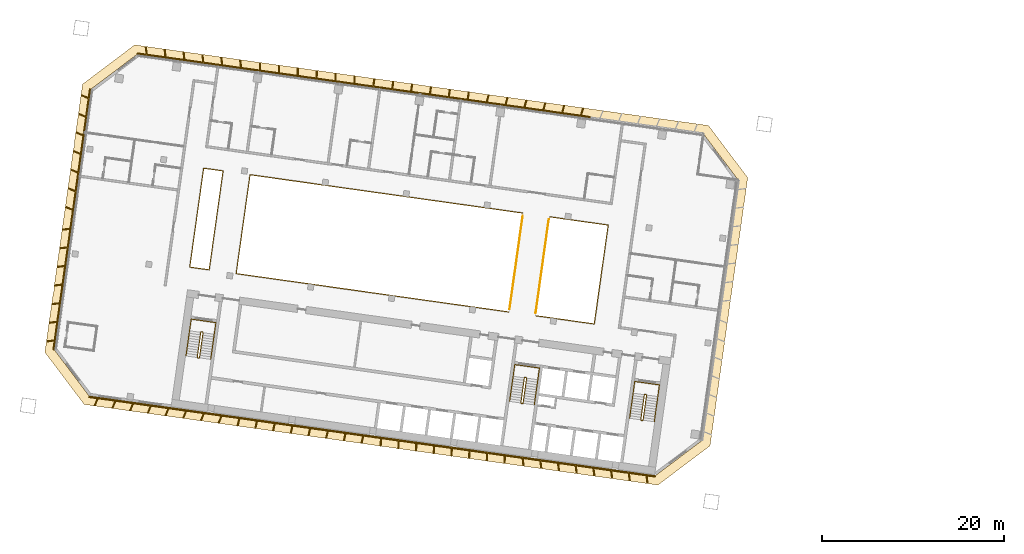
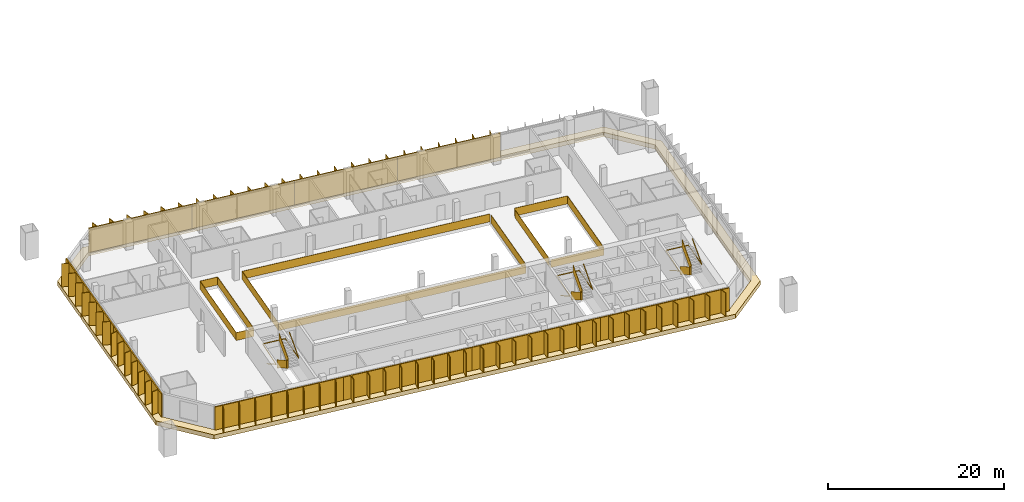
# One storey, part 23 of 25: 11 railings, 10 shading devices, 1 covering.
"""IFC4 building model written with IfcOpenShell, lengths in metres."""

from ifc_helpers import new_model, si_unit, direction, frame, origin, origin_2d, place, context, subcontext, project, spatial, polyline, rectangle, outline, extrude, material, layer, layer_set, type_object, element, save


model = new_model("IFC4")

# Units and contexts
model_context = context("Model", 3, precision=1e-05, world=origin(), true_north=direction((0.0, 1.0)))
body_context = subcontext(model_context, "Body", "Model", "MODEL_VIEW")
ifc_project = project(units=[si_unit("LENGTHUNIT", "METRE"), si_unit("AREAUNIT", "SQUARE_METRE"), si_unit("VOLUMEUNIT", "CUBIC_METRE"), si_unit("PLANEANGLEUNIT", "RADIAN"), si_unit("MASSUNIT", "GRAM", prefix="KILO")], contexts=[model_context])

# Site, building, storey
site_placement = place(None, origin())
site = spatial("IfcSite", under=ifc_project, at=site_placement, CompositionType="ELEMENT")
building_placement = place(site_placement, origin())
building = spatial("IfcBuilding", under=site, at=building_placement, Name="Mirante Cascada Hotel Towers", CompositionType="ELEMENT")
storey_placement = place(building_placement, frame((0.0, 0.0, 129.1)))
storey = spatial("IfcBuildingStorey", under=building, at=storey_placement, Name="L29", CompositionType="ELEMENT", Elevation=129.1)

# Railings
ifc_material_1 = material(Name="Toughened glass with stainless steel handrail", Category="steel")
railing_type_1 = type_object("IfcRailingType", Name="Atrium guard 1100 glass balustrade", PredefinedType="GUARDRAIL", material=ifc_material_1)
railing_1_placement = place(storey_placement, frame((-48.76, 8.3112, 0.0)))
element("IfcRailing", 1, at=railing_1_placement, inside=storey, type_object=railing_type_1, Name="GUARD 1-L29-1", PredefinedType="GUARDRAIL", context=body_context, shape_type="SweptSolid", body=[
    extrude(rectangle(XDim=0.048, YDim=0.048, at=origin_2d()), frame((0.0, 0.0, 1.076), z_axis=(0.9902694, -0.1391638, 0.0), x_axis=(0.1391638, 0.9902694, 0.0)), (0.0, 0.0, 1.0), 6.5125),
    extrude(rectangle(XDim=0.02, YDim=1.052, at=origin_2d()), frame((0.0, 0.0, 0.526), z_axis=(0.9902694, -0.1391638, 0.0), x_axis=(0.1391638, 0.9902694, 0.0)), (0.0, 0.0, 1.0), 6.5125),
    extrude(rectangle(XDim=0.048, YDim=0.048, at=origin_2d()), frame((6.4491, -0.9063, 1.076), z_axis=(-0.1391721, -0.9902682, 0.0), x_axis=(0.9902682, -0.1391721, 0.0)), (0.0, 0.0, 1.0), 11.0001),
    extrude(rectangle(XDim=0.02, YDim=1.052, at=origin_2d()), frame((6.4491, -0.9063, 0.526), z_axis=(-0.1391721, -0.9902682, 0.0), x_axis=(0.9902682, -0.1391721, 0.0)), (0.0, 0.0, 1.0), 11.0001),
    extrude(rectangle(XDim=0.048, YDim=0.048, at=origin_2d()), frame((4.9182, -11.7993, 1.076), z_axis=(-0.9902673, 0.1391788, 0.0), x_axis=(-0.1391788, -0.9902673, 0.0)), (0.0, 0.0, 1.0), 6.5125),
    extrude(rectangle(XDim=0.02, YDim=1.052, at=origin_2d()), frame((4.9182, -11.7993, 0.526), z_axis=(-0.9902673, 0.1391788, 0.0), x_axis=(-0.1391788, -0.9902673, 0.0)), (0.0, 0.0, 1.0), 6.5125),
])
railing_2_placement = place(storey_placement, frame((-53.2617, -2.1642, 0.0)))
element("IfcRailing", 2, at=railing_2_placement, inside=storey, type_object=railing_type_1, Name="GUARD 1-L29-2", PredefinedType="GUARDRAIL", context=body_context, shape_type="SweptSolid", body=[
    extrude(rectangle(XDim=0.048, YDim=0.048, at=origin_2d()), frame((0.0, 0.0, 1.076), z_axis=(-0.9902682, 0.1391722, 0.0), x_axis=(-0.1391722, -0.9902682, 0.0)), (0.0, 0.0, 1.0), 30.325),
    extrude(rectangle(XDim=0.02, YDim=1.052, at=origin_2d()), frame((0.0, 0.0, 0.526), z_axis=(-0.9902682, 0.1391722, 0.0), x_axis=(-0.1391722, -0.9902682, 0.0)), (0.0, 0.0, 1.0), 30.325),
    extrude(rectangle(XDim=0.048, YDim=0.048, at=origin_2d()), frame((-30.0299, 4.2204, 1.076), z_axis=(0.1391721, 0.9902682, 0.0), x_axis=(-0.9902682, 0.1391721, 0.0)), (0.0, 0.0, 1.0), 11.0001),
    extrude(rectangle(XDim=0.02, YDim=1.052, at=origin_2d()), frame((-30.0299, 4.2204, 0.526), z_axis=(0.1391721, 0.9902682, 0.0), x_axis=(-0.9902682, 0.1391721, 0.0)), (0.0, 0.0, 1.0), 11.0001),
    extrude(rectangle(XDim=0.048, YDim=0.048, at=origin_2d()), frame((-28.499, 15.1134, 1.076), z_axis=(0.9902682, -0.1391722, 0.0), x_axis=(0.1391722, 0.9902682, 0.0)), (0.0, 0.0, 1.0), 30.325),
    extrude(rectangle(XDim=0.02, YDim=1.052, at=origin_2d()), frame((-28.499, 15.1134, 0.526), z_axis=(0.9902682, -0.1391722, 0.0), x_axis=(0.1391722, 0.9902682, 0.0)), (0.0, 0.0, 1.0), 30.325),
])
railing_3_placement = place(storey_placement, frame((-86.2624, 2.4738, 0.0)))
element("IfcRailing", 3, at=railing_3_placement, inside=storey, type_object=railing_type_1, Name="GUARD 1-L29-3", PredefinedType="GUARDRAIL", context=body_context, shape_type="SweptSolid", body=[
    extrude(rectangle(XDim=0.048, YDim=0.048, at=origin_2d()), frame((0.0, 0.0, 1.076), z_axis=(-0.9902724, 0.1391422, 0.0), x_axis=(-0.1391422, -0.9902724, 0.0)), (0.0, 0.0, 1.0), 2.1625),
    extrude(rectangle(XDim=0.02, YDim=1.052, at=origin_2d()), frame((0.0, 0.0, 0.526), z_axis=(-0.9902724, 0.1391422, 0.0), x_axis=(-0.1391422, -0.9902724, 0.0)), (0.0, 0.0, 1.0), 2.1625),
    extrude(rectangle(XDim=0.048, YDim=0.048, at=origin_2d()), frame((-2.1415, 0.3009, 1.076), z_axis=(0.1391721, 0.9902682, 0.0), x_axis=(-0.9902682, 0.1391721, 0.0)), (0.0, 0.0, 1.0), 11.0001),
    extrude(rectangle(XDim=0.02, YDim=1.052, at=origin_2d()), frame((-2.1415, 0.3009, 0.526), z_axis=(0.1391721, 0.9902682, 0.0), x_axis=(-0.9902682, 0.1391721, 0.0)), (0.0, 0.0, 1.0), 11.0001),
    extrude(rectangle(XDim=0.048, YDim=0.048, at=origin_2d()), frame((-0.6106, 11.1939, 1.076), z_axis=(0.990266, -0.1391875, 0.0), x_axis=(0.1391875, 0.990266, 0.0)), (0.0, 0.0, 1.0), 2.1626),
    extrude(rectangle(XDim=0.02, YDim=1.052, at=origin_2d()), frame((-0.6106, 11.1939, 0.526), z_axis=(0.990266, -0.1391875, 0.0), x_axis=(0.1391875, 0.990266, 0.0)), (0.0, 0.0, 1.0), 2.1626),
    extrude(rectangle(XDim=0.048, YDim=0.048, at=origin_2d()), frame((1.5309, 10.8929, 1.076), z_axis=(-0.1391733, -0.990268, 0.0), x_axis=(0.990268, -0.1391733, 0.0)), (0.0, 0.0, 1.0), 11.0),
    extrude(rectangle(XDim=0.02, YDim=1.052, at=origin_2d()), frame((1.5309, 10.8929, 0.526), z_axis=(-0.1391733, -0.990268, 0.0), x_axis=(0.990268, -0.1391733, 0.0)), (0.0, 0.0, 1.0), 11.0),
])
railing_4_placement = place(storey_placement, frame((-53.172, -1.8782, 0.0)))
element("IfcRailing", 4, at=railing_4_placement, inside=storey, type_object=railing_type_1, Name="GUARD 1-L29-4", PredefinedType="GUARDRAIL", context=body_context, shape_type="SweptSolid", body=[
    extrude(rectangle(XDim=0.048, YDim=0.048, at=origin_2d()), frame((0.0, 0.0, 1.076), z_axis=(0.1391721, 0.9902682, 0.0), x_axis=(-0.9902682, 0.1391721, 0.0)), (0.0, 0.0, 1.0), 10.4087),
    extrude(rectangle(XDim=0.02, YDim=1.052, at=origin_2d()), frame((0.0, 0.0, 0.526), z_axis=(0.1391721, 0.9902682, 0.0), x_axis=(-0.9902682, 0.1391721, 0.0)), (0.0, 0.0, 1.0), 10.4087),
])
railing_5_placement = place(storey_placement, frame((-48.8497, 8.0253, 0.0)))
element("IfcRailing", 5, at=railing_5_placement, inside=storey, type_object=railing_type_1, Name="GUARD 1-L29-5", PredefinedType="GUARDRAIL", context=body_context, shape_type="SweptSolid", body=[
    extrude(rectangle(XDim=0.048, YDim=0.048, at=origin_2d()), frame((0.0, 0.0, 1.076), z_axis=(-0.1391708, -0.9902684, 0.0), x_axis=(0.9902684, -0.1391708, 0.0)), (0.0, 0.0, 1.0), 10.4088),
    extrude(rectangle(XDim=0.02, YDim=1.052, at=origin_2d()), frame((0.0, 0.0, 0.526), z_axis=(-0.1391708, -0.9902684, 0.0), x_axis=(0.9902684, -0.1391708, 0.0)), (0.0, 0.0, 1.0), 10.4088),
])

# Covering
ifc_material_2 = material(Name="Precast concrete C40/50 white", Category="concrete")
ifc_layer = layer(ifc_material_2, 0.6)
ifc_layer_set = layer_set([ifc_layer], Name="Precast concrete SUNSHADE band 1000x600")
covering_type = type_object("IfcCoveringType", Name="Precast concrete SUNSHADE band 1000x600", PredefinedType="CLADDING", material=ifc_layer_set)
covering_placement = place(storey_placement, frame((0.0, 0.0, -0.45)))
element("IfcCovering", 6, at=covering_placement, inside=storey, type_object=covering_type, Name="Precast concrete SUNSHADE band T1 L29", PredefinedType="CLADDING", context=body_context, shape_type="SweptSolid", body=[
    extrude(outline(polyline([(-104.3652, -6.6094), (-103.4576, -0.1512), (-103.4447, -0.1292), (-103.4251, -0.0864), (-103.4097, -0.0419), (-103.3988, 0.004), (-103.3552, 0.2375), (-103.3488, 0.2841), (-103.347, 0.3312), (-103.3499, 0.3782), (-103.3573, 0.4247), (-103.3693, 0.4703), (-103.37, 0.4721), (-101.2092, 15.8471), (-101.208, 15.8487), (-101.1839, 15.8892), (-101.1639, 15.9319), (-101.1482, 15.9763), (-101.137, 16.022), (-101.1302, 16.0686), (-101.1078, 16.3051), (-101.1057, 16.3522), (-101.1082, 16.3992), (-101.1153, 16.4458), (-101.1216, 16.4704), (-100.2139, 22.9287), (-94.4698, 27.2572), (-31.2626, 18.374), (-26.9341, 12.6299), (-31.0854, -16.9082), (-36.8295, -21.2367), (-100.0367, -12.3535), (-104.3652, -6.6094)]), holes=[polyline([(-27.982, 12.3589), (-31.8119, 17.4414), (-94.1988, 26.2093), (-99.2813, 22.3794), (-103.3173, -6.3384), (-99.4874, -11.4209), (-37.1005, -20.1888), (-32.018, -16.3589), (-27.982, 12.3589)])]), origin(), (0.0, 0.0, 1.0), 0.6),
])

# Railings
ifc_material_3 = material(Name="Painted steel", Category="steel")
railing_type_2 = type_object("IfcRailingType", Name="Stair guard 1100 steel balustrade", PredefinedType="GUARDRAIL", material=ifc_material_3)
railing_6_placement = place(storey_placement, frame((-38.1178, -11.2603, 0.0)))
element("IfcRailing", 7, at=railing_6_placement, inside=storey, type_object=railing_type_2, Name="L29 ST1-A stair guard 1", PredefinedType="GUARDRAIL", context=body_context, shape_type="SweptSolid", body=[
    extrude(rectangle(XDim=0.048, YDim=0.048, at=origin_2d()), frame((0.0, 0.0, 1.076), z_axis=(-0.9903326, 0.1387133, 0.0), x_axis=(-0.1387133, -0.9903326, 0.0)), (0.0, 0.0, 1.0), 0.1499),
    extrude(rectangle(XDim=0.02, YDim=1.052, at=origin_2d()), frame((0.0, 0.0, 0.526), z_axis=(-0.9903326, 0.1387133, 0.0), x_axis=(-0.1387133, -0.9903326, 0.0)), (0.0, 0.0, 1.0), 0.1499),
    extrude(rectangle(XDim=0.048, YDim=0.048, at=origin_2d()), frame((-0.1485, 0.0208, 1.076), z_axis=(-0.7991505, -0.6011309, 0.0), x_axis=(0.6011309, -0.7991505, 0.0)), (0.0, 0.9254529, 0.3788627), 0.1866),
    extrude(rectangle(XDim=0.02, YDim=1.052, at=origin_2d()), frame((-0.1485, 0.0208, 0.526), z_axis=(-0.7991505, -0.6011309, 0.0), x_axis=(0.6011309, -0.7991505, 0.0)), (0.0, 0.9254529, 0.3788627), 0.1866),
    extrude(rectangle(XDim=0.048, YDim=0.048, at=origin_2d()), frame((-0.205, -0.0217, 1.2487), z_axis=(-0.139176, -0.9902677, 0.0), x_axis=(0.9902677, -0.139176, 0.0)), (0.0, 0.5250212, 0.8510891), 3.29),
    extrude(rectangle(XDim=0.02, YDim=1.052, at=origin_2d()), frame((-0.205, -0.0217, 0.6987), z_axis=(-0.139176, -0.9902677, 0.0), x_axis=(0.9902677, -0.139176, 0.0)), (0.0, 0.5250212, 0.8510891), 3.29),
    extrude(rectangle(XDim=0.048, YDim=0.048, at=origin_2d()), frame((-0.5947, -2.7945, 2.976), z_axis=(0.9270311, -0.3749843, 0.0), x_axis=(0.3749843, 0.9270311, 0.0)), (0.0, 0.0, 1.0), 0.2061),
    extrude(rectangle(XDim=0.02, YDim=1.052, at=origin_2d()), frame((-0.5947, -2.7945, 2.426), z_axis=(0.9270311, -0.3749843, 0.0), x_axis=(0.3749843, 0.9270311, 0.0)), (0.0, 0.0, 1.0), 0.2061),
    extrude(rectangle(XDim=0.048, YDim=0.048, at=origin_2d()), frame((-0.4036, -2.8718, 2.976), z_axis=(-0.9902408, 0.1393672, 0.0), x_axis=(-0.1393672, -0.9902408, 0.0)), (0.0, 0.0, 1.0), 0.15),
    extrude(rectangle(XDim=0.02, YDim=1.052, at=origin_2d()), frame((-0.4036, -2.8718, 2.426), z_axis=(-0.9902408, 0.1393672, 0.0), x_axis=(-0.1393672, -0.9902408, 0.0)), (0.0, 0.0, 1.0), 0.15),
    extrude(rectangle(XDim=0.048, YDim=0.048, at=origin_2d()), frame((-0.5521, -2.8509, 2.976), z_axis=(0.9944948, 0.1047858, 0.0), x_axis=(-0.1047858, 0.9944948, 0.0)), (0.0, 0.6422034, 0.7665343), 0.2689),
    extrude(rectangle(XDim=0.02, YDim=1.052, at=origin_2d()), frame((-0.5521, -2.8509, 2.426), z_axis=(0.9944948, 0.1047858, 0.0), x_axis=(-0.1047858, 0.9944948, 0.0)), (0.0, 0.6422034, 0.7665343), 0.2689),
    extrude(rectangle(XDim=0.048, YDim=0.048, at=origin_2d()), frame((-0.3471, -2.8293, 3.1487), z_axis=(0.139176, 0.9902677, 0.0), x_axis=(-0.9902677, 0.139176, 0.0)), (0.0, 0.5250212, 0.8510891), 3.29),
    extrude(rectangle(XDim=0.02, YDim=1.052, at=origin_2d()), frame((-0.3471, -2.8293, 2.5987), z_axis=(0.139176, 0.9902677, 0.0), x_axis=(-0.9902677, 0.139176, 0.0)), (0.0, 0.5250212, 0.8510891), 3.29),
])
railing_7_placement = place(storey_placement, frame((-51.3379, -9.4024, 0.0)))
element("IfcRailing", 8, at=railing_7_placement, inside=storey, type_object=railing_type_2, Name="L29 ST1-B stair guard 1", PredefinedType="GUARDRAIL", context=body_context, shape_type="SweptSolid", body=[
    extrude(rectangle(XDim=0.048, YDim=0.048, at=origin_2d()), frame((0.0, 0.0, 1.076), z_axis=(-0.9902408, 0.1393672, 0.0), x_axis=(-0.1393672, -0.9902408, 0.0)), (0.0, 0.0, 1.0), 0.15),
    extrude(rectangle(XDim=0.02, YDim=1.052, at=origin_2d()), frame((0.0, 0.0, 0.526), z_axis=(-0.9902408, 0.1393672, 0.0), x_axis=(-0.1393672, -0.9902408, 0.0)), (0.0, 0.0, 1.0), 0.15),
    extrude(rectangle(XDim=0.048, YDim=0.048, at=origin_2d()), frame((-0.1485, 0.0209, 1.076), z_axis=(-0.7984711, -0.6020331, 0.0), x_axis=(0.6020331, -0.7984711, 0.0)), (0.0, 0.9253398, 0.3791387), 0.1866),
    extrude(rectangle(XDim=0.02, YDim=1.052, at=origin_2d()), frame((-0.1485, 0.0209, 0.526), z_axis=(-0.7984711, -0.6020331, 0.0), x_axis=(0.6020331, -0.7984711, 0.0)), (0.0, 0.9253398, 0.3791387), 0.1866),
    extrude(rectangle(XDim=0.048, YDim=0.048, at=origin_2d()), frame((-0.205, -0.0217, 1.2487), z_axis=(-0.139181, -0.990267, 0.0), x_axis=(0.990267, -0.139181, 0.0)), (0.0, 0.5250347, 0.8510808), 3.2899),
    extrude(rectangle(XDim=0.02, YDim=1.052, at=origin_2d()), frame((-0.205, -0.0217, 0.6987), z_axis=(-0.139181, -0.990267, 0.0), x_axis=(0.990267, -0.139181, 0.0)), (0.0, 0.5250347, 0.8510808), 3.2899),
    extrude(rectangle(XDim=0.048, YDim=0.048, at=origin_2d()), frame((-0.5947, -2.7944, 2.976), z_axis=(0.9268624, -0.3754011, 0.0), x_axis=(0.3754011, 0.9268624, 0.0)), (0.0, 0.0, 1.0), 0.2062),
    extrude(rectangle(XDim=0.02, YDim=1.052, at=origin_2d()), frame((-0.5947, -2.7944, 2.426), z_axis=(0.9268624, -0.3754011, 0.0), x_axis=(0.3754011, 0.9268624, 0.0)), (0.0, 0.0, 1.0), 0.2062),
    extrude(rectangle(XDim=0.048, YDim=0.048, at=origin_2d()), frame((-0.4036, -2.8718, 2.976), z_axis=(-0.9902408, 0.1393672, 0.0), x_axis=(-0.1393672, -0.9902408, 0.0)), (0.0, 0.0, 1.0), 0.15),
    extrude(rectangle(XDim=0.02, YDim=1.052, at=origin_2d()), frame((-0.4036, -2.8718, 2.426), z_axis=(-0.9902408, 0.1393672, 0.0), x_axis=(-0.1393672, -0.9902408, 0.0)), (0.0, 0.0, 1.0), 0.15),
    extrude(rectangle(XDim=0.048, YDim=0.048, at=origin_2d()), frame((-0.5521, -2.8509, 2.976), z_axis=(0.9944441, 0.1052656, 0.0), x_axis=(-0.1052656, 0.9944441, 0.0)), (0.0, 0.6421842, 0.7665504), 0.2689),
    extrude(rectangle(XDim=0.02, YDim=1.052, at=origin_2d()), frame((-0.5521, -2.8509, 2.426), z_axis=(0.9944441, 0.1052656, 0.0), x_axis=(-0.1052656, 0.9944441, 0.0)), (0.0, 0.6421842, 0.7665504), 0.2689),
    extrude(rectangle(XDim=0.048, YDim=0.048, at=origin_2d()), frame((-0.3471, -2.8292, 3.1487), z_axis=(0.139181, 0.990267, 0.0), x_axis=(-0.990267, 0.139181, 0.0)), (0.0, 0.5250347, 0.8510808), 3.2899),
    extrude(rectangle(XDim=0.02, YDim=1.052, at=origin_2d()), frame((-0.3471, -2.8292, 2.5987), z_axis=(0.139181, 0.990267, 0.0), x_axis=(-0.990267, 0.139181, 0.0)), (0.0, 0.5250347, 0.8510808), 3.2899),
])
railing_8_placement = place(storey_placement, frame((-86.9875, -4.3922, 0.0)))
element("IfcRailing", 9, at=railing_8_placement, inside=storey, type_object=railing_type_2, Name="L29 ST1-C stair guard 1", PredefinedType="GUARDRAIL", context=body_context, shape_type="SweptSolid", body=[
    extrude(rectangle(XDim=0.048, YDim=0.048, at=origin_2d()), frame((0.0, 0.0, 1.076), z_axis=(-0.9902537, 0.1392753, 0.0), x_axis=(-0.1392753, -0.9902537, 0.0)), (0.0, 0.0, 1.0), 0.1501),
    extrude(rectangle(XDim=0.02, YDim=1.052, at=origin_2d()), frame((0.0, 0.0, 0.526), z_axis=(-0.9902537, 0.1392753, 0.0), x_axis=(-0.1392753, -0.9902537, 0.0)), (0.0, 0.0, 1.0), 0.1501),
    extrude(rectangle(XDim=0.048, YDim=0.048, at=origin_2d()), frame((-0.1486, 0.0209, 1.076), z_axis=(-0.7986386, -0.601811, 0.0), x_axis=(0.601811, -0.7986386, 0.0)), (0.0, 0.925603, 0.3784959), 0.1866),
    extrude(rectangle(XDim=0.02, YDim=1.052, at=origin_2d()), frame((-0.1486, 0.0209, 0.526), z_axis=(-0.7986386, -0.601811, 0.0), x_axis=(0.601811, -0.7986386, 0.0)), (0.0, 0.925603, 0.3784959), 0.1866),
    extrude(rectangle(XDim=0.048, YDim=0.048, at=origin_2d()), frame((-0.205, -0.0216, 1.2487), z_axis=(-0.139176, -0.9902677, 0.0), x_axis=(0.9902677, -0.139176, 0.0)), (0.0, 0.5250212, 0.8510891), 3.29),
    extrude(rectangle(XDim=0.02, YDim=1.052, at=origin_2d()), frame((-0.205, -0.0216, 0.6987), z_axis=(-0.139176, -0.9902677, 0.0), x_axis=(0.9902677, -0.139176, 0.0)), (0.0, 0.5250212, 0.8510891), 3.29),
    extrude(rectangle(XDim=0.048, YDim=0.048, at=origin_2d()), frame((-0.5947, -2.7944, 2.976), z_axis=(0.9270311, -0.3749843, 0.0), x_axis=(0.3749843, 0.9270311, 0.0)), (0.0, 0.0, 1.0), 0.2061),
    extrude(rectangle(XDim=0.02, YDim=1.052, at=origin_2d()), frame((-0.5947, -2.7944, 2.426), z_axis=(0.9270311, -0.3749843, 0.0), x_axis=(0.3749843, 0.9270311, 0.0)), (0.0, 0.0, 1.0), 0.2061),
    extrude(rectangle(XDim=0.048, YDim=0.048, at=origin_2d()), frame((-0.4036, -2.8717, 2.976), z_axis=(-0.9903454, 0.1386217, 0.0), x_axis=(-0.1386217, -0.9903454, 0.0)), (0.0, 0.0, 1.0), 0.15),
    extrude(rectangle(XDim=0.02, YDim=1.052, at=origin_2d()), frame((-0.4036, -2.8717, 2.426), z_axis=(-0.9903454, 0.1386217, 0.0), x_axis=(-0.1386217, -0.9903454, 0.0)), (0.0, 0.0, 1.0), 0.15),
    extrude(rectangle(XDim=0.048, YDim=0.048, at=origin_2d()), frame((-0.5522, -2.8509, 2.976), z_axis=(0.9944441, 0.1052656, 0.0), x_axis=(-0.1052656, 0.9944441, 0.0)), (0.0, 0.6421842, 0.7665504), 0.2689),
    extrude(rectangle(XDim=0.02, YDim=1.052, at=origin_2d()), frame((-0.5522, -2.8509, 2.426), z_axis=(0.9944441, 0.1052656, 0.0), x_axis=(-0.1052656, 0.9944441, 0.0)), (0.0, 0.6421842, 0.7665504), 0.2689),
    extrude(rectangle(XDim=0.048, YDim=0.048, at=origin_2d()), frame((-0.3472, -2.8292, 3.1487), z_axis=(0.139176, 0.9902677, 0.0), x_axis=(-0.9902677, 0.139176, 0.0)), (0.0, 0.5250212, 0.8510891), 3.29),
    extrude(rectangle(XDim=0.02, YDim=1.052, at=origin_2d()), frame((-0.3472, -2.8292, 2.5987), z_axis=(0.139176, 0.9902677, 0.0), x_axis=(-0.9902677, 0.139176, 0.0)), (0.0, 0.5250212, 0.8510891), 3.29),
])
ifc_material_4 = material(Name="Painted steel", Category="steel")
railing_type_3 = type_object("IfcRailingType", Name="Stair handrail 900 steel tube", PredefinedType="HANDRAIL", material=ifc_material_4)
railing_9_placement = place(storey_placement, frame((-39.5606, -11.1081, 0.1727)))
element("IfcRailing", 10, at=railing_9_placement, inside=storey, type_object=railing_type_3, Name="L29 ST1-A stair handrail 1", PredefinedType="HANDRAIL", context=body_context, shape_type="SweptSolid", body=[
    extrude(rectangle(XDim=0.048, YDim=0.048, at=origin_2d()), frame((0.0, 0.0, 0.876), z_axis=(-0.139181, -0.990267, 0.0), x_axis=(0.990267, -0.139181, 0.0)), (0.0, 0.5250347, 0.8510808), 3.2899),
    extrude(rectangle(XDim=0.048, YDim=0.048, at=origin_2d()), frame((-0.3897, -2.7727, 2.6033), z_axis=(0.1391707, 0.9902684, 0.0), x_axis=(-0.9902684, 0.1391707, 0.0)), (0.0, 0.0420846, 0.999114), 4.1036),
    extrude(rectangle(XDim=0.048, YDim=0.048, at=origin_2d()), frame((0.1809, 1.2874, 2.776), z_axis=(0.9902691, -0.1391657, 0.0), x_axis=(0.1391657, 0.9902691, 0.0)), (0.0, 0.0, 1.0), 2.75),
    extrude(rectangle(XDim=0.048, YDim=0.048, at=origin_2d()), frame((2.9041, 0.9047, 2.776), z_axis=(-0.1391707, -0.9902684, 0.0), x_axis=(0.9902684, -0.1391707, 0.0)), (0.0, 0.0, 1.0), 4.1),
    extrude(rectangle(XDim=0.048, YDim=0.048, at=origin_2d()), frame((2.3335, -3.1554, 2.776), z_axis=(0.139181, 0.990267, 0.0), x_axis=(-0.990267, 0.139181, 0.0)), (0.0, 0.5250347, 0.8510808), 3.2899),
])
railing_10_placement = place(storey_placement, frame((-52.7807, -9.2501, 0.1727)))
element("IfcRailing", 11, at=railing_10_placement, inside=storey, type_object=railing_type_3, Name="L29 ST1-B stair handrail 1", PredefinedType="HANDRAIL", context=body_context, shape_type="SweptSolid", body=[
    extrude(rectangle(XDim=0.048, YDim=0.048, at=origin_2d()), frame((0.0, 0.0, 0.876), z_axis=(-0.139181, -0.990267, 0.0), x_axis=(0.990267, -0.139181, 0.0)), (0.0, 0.5250347, 0.8510808), 3.2899),
    extrude(rectangle(XDim=0.048, YDim=0.048, at=origin_2d()), frame((-0.3897, -2.7727, 2.6033), z_axis=(0.1391707, 0.9902684, 0.0), x_axis=(-0.9902684, 0.1391707, 0.0)), (0.0, 0.0420846, 0.999114), 4.1036),
    extrude(rectangle(XDim=0.048, YDim=0.048, at=origin_2d()), frame((0.1809, 1.2874, 2.776), z_axis=(0.9902641, -0.1392013, 0.0), x_axis=(0.1392013, 0.9902641, 0.0)), (0.0, 0.0, 1.0), 2.75),
    extrude(rectangle(XDim=0.048, YDim=0.048, at=origin_2d()), frame((2.9041, 0.9046, 2.776), z_axis=(-0.1391707, -0.9902684, 0.0), x_axis=(0.9902684, -0.1391707, 0.0)), (0.0, 0.0, 1.0), 4.1),
    extrude(rectangle(XDim=0.048, YDim=0.048, at=origin_2d()), frame((2.3335, -3.1555, 2.776), z_axis=(0.139176, 0.9902677, 0.0), x_axis=(-0.9902677, 0.139176, 0.0)), (0.0, 0.5250212, 0.8510891), 3.29),
])
railing_11_placement = place(storey_placement, frame((-88.4304, -4.2399, 0.1727)))
element("IfcRailing", 12, at=railing_11_placement, inside=storey, type_object=railing_type_3, Name="L29 ST1-C stair handrail 1", PredefinedType="HANDRAIL", context=body_context, shape_type="SweptSolid", body=[
    extrude(rectangle(XDim=0.048, YDim=0.048, at=origin_2d()), frame((0.0, 0.0, 0.876), z_axis=(-0.139181, -0.990267, 0.0), x_axis=(0.990267, -0.139181, 0.0)), (0.0, 0.5250347, 0.8510808), 3.2899),
    extrude(rectangle(XDim=0.048, YDim=0.048, at=origin_2d()), frame((-0.3897, -2.7727, 2.6033), z_axis=(0.1391947, 0.990265, 0.0), x_axis=(-0.990265, 0.1391947, 0.0)), (0.0, 0.0420845, 0.9991141), 4.1036),
    extrude(rectangle(XDim=0.048, YDim=0.048, at=origin_2d()), frame((0.181, 1.2874, 2.776), z_axis=(0.9902691, -0.1391657, 0.0), x_axis=(0.1391657, 0.9902691, 0.0)), (0.0, 0.0, 1.0), 2.75),
    extrude(rectangle(XDim=0.048, YDim=0.048, at=origin_2d()), frame((2.9042, 0.9047, 2.776), z_axis=(-0.1391707, -0.9902684, 0.0), x_axis=(0.9902684, -0.1391707, 0.0)), (0.0, 0.0, 1.0), 4.1),
    extrude(rectangle(XDim=0.048, YDim=0.048, at=origin_2d()), frame((2.3336, -3.1554, 2.776), z_axis=(0.139181, 0.990267, 0.0), x_axis=(-0.990267, 0.139181, 0.0)), (0.0, 0.5250347, 0.8510808), 3.2899),
])

# Shading devices
ifc_material_5 = material(Name="White precast concrete C50/60 fin", Category="concrete")
shading_device_type = type_object("IfcShadingDeviceType", Name="Vertical fin set 4500x900", PredefinedType="USERDEFINED", material=ifc_material_5)
shading_device_1_placement = place(storey_placement, origin())
element("IfcShadingDevice", 13, at=shading_device_1_placement, inside=storey, type_object=shading_device_type, Name="FIN T1 L29 front 1", ObjectType="FIN", PredefinedType="USERDEFINED", context=body_context, shape_type="SweptSolid", body=[
    extrude(outline(polyline([(-82.8173, 25.599), (-82.7126, 24.7465), (-81.7006, 24.6042), (-81.7214, 24.4557), (-94.1988, 26.2093), (-94.1779, 26.3578), (-93.1924, 26.2193), (-93.2945, 27.0506), (-93.2151, 27.0603), (-93.1104, 26.2078), (-91.1129, 25.9271), (-91.2149, 26.7583), (-91.1355, 26.7681), (-91.0308, 25.9155), (-89.0333, 25.6348), (-89.1354, 26.4661), (-89.056, 26.4758), (-88.9513, 25.6233), (-86.9537, 25.3425), (-87.0558, 26.1738), (-86.9764, 26.1835), (-86.8717, 25.331), (-84.8742, 25.0503), (-84.9762, 25.8815), (-84.8968, 25.8913), (-84.7922, 25.0387), (-82.7946, 24.758), (-82.8967, 25.5893), (-82.8173, 25.599)])), origin(), (0.0, 0.0, 1.0), 3.35),
])
shading_device_2_placement = place(storey_placement, origin())
element("IfcShadingDevice", 14, at=shading_device_2_placement, inside=storey, type_object=shading_device_type, Name="FIN T1 L29 front 2", ObjectType="FIN", PredefinedType="USERDEFINED", context=body_context, shape_type="SweptSolid", body=[
    extrude(outline(polyline([(-70.2221, 23.8469), (-70.2295, 22.9921), (-69.2232, 22.8507), (-69.2441, 22.7021), (-81.7214, 24.4557), (-81.7006, 24.6042), (-80.7072, 24.4646), (-80.6999, 25.3089), (-80.6199, 25.3082), (-80.6273, 24.4534), (-78.6277, 24.1724), (-78.6203, 25.0166), (-78.5403, 25.0159), (-78.5478, 24.1611), (-76.5481, 23.8801), (-76.5407, 24.7244), (-76.4608, 24.7237), (-76.4682, 23.8689), (-74.4686, 23.5878), (-74.4612, 24.4321), (-74.3812, 24.4314), (-74.3886, 23.5766), (-72.389, 23.2956), (-72.3816, 24.1399), (-72.3016, 24.1392), (-72.3091, 23.2844), (-70.3094, 23.0033), (-70.3021, 23.8476), (-70.2221, 23.8469)])), origin(), (0.0, 0.0, 1.0), 3.35),
])
shading_device_3_placement = place(storey_placement, origin())
element("IfcShadingDevice", 15, at=shading_device_3_placement, inside=storey, type_object=shading_device_type, Name="FIN T1 L29 front 3", ObjectType="FIN", PredefinedType="USERDEFINED", context=body_context, shape_type="SweptSolid", body=[
    extrude(outline(polyline([(-57.6277, 22.0794), (-57.746, 21.2376), (-56.7458, 21.0971), (-56.7667, 20.9485), (-69.2441, 22.7021), (-69.2232, 22.8507), (-68.223, 22.7101), (-68.1047, 23.5518), (-68.0255, 23.5407), (-68.1438, 22.699), (-66.1434, 22.4178), (-66.0251, 23.2596), (-65.9459, 23.2484), (-66.0642, 22.4067), (-64.0639, 22.1256), (-63.9456, 22.9673), (-63.8664, 22.9562), (-63.9847, 22.1144), (-61.9843, 21.8333), (-61.866, 22.675), (-61.7868, 22.6639), (-61.9051, 21.8222), (-59.9048, 21.541), (-59.7865, 22.3828), (-59.7072, 22.3716), (-59.8255, 21.5299), (-57.8252, 21.2488), (-57.7069, 22.0905), (-57.6277, 22.0794)])), origin(), (0.0, 0.0, 1.0), 3.35),
])
shading_device_4_placement = place(storey_placement, origin())
element("IfcShadingDevice", 16, at=shading_device_4_placement, inside=storey, type_object=shading_device_type, Name="FIN T1 L29 front 4", ObjectType="FIN", PredefinedType="USERDEFINED", context=body_context, shape_type="SweptSolid", body=[
    extrude(outline(polyline([(-45.0361, 20.2967), (-45.2617, 19.4831), (-44.2684, 19.3435), (-44.2893, 19.195), (-56.7667, 20.9485), (-56.7458, 21.0971), (-55.7394, 20.9556), (-55.511, 21.7794), (-55.4339, 21.758), (-55.6595, 20.9444), (-53.6599, 20.6634), (-53.4314, 21.4871), (-53.3544, 21.4657), (-53.58, 20.6521), (-51.5803, 20.3711), (-51.3519, 21.1949), (-51.2748, 21.1735), (-51.5004, 20.3599), (-49.5008, 20.0789), (-49.2723, 20.9026), (-49.1952, 20.8812), (-49.4209, 20.0676), (-47.4212, 19.7866), (-47.1928, 20.6103), (-47.1157, 20.589), (-47.3413, 19.7754), (-45.3416, 19.4943), (-45.1132, 20.3181), (-45.0361, 20.2967)])), origin(), (0.0, 0.0, 1.0), 3.35),
])
shading_device_5_placement = place(storey_placement, origin())
element("IfcShadingDevice", 17, at=shading_device_5_placement, inside=storey, type_object=shading_device_type, Name="FIN T1 L29 outer 1", ObjectType="FIN", PredefinedType="USERDEFINED", context=body_context, shape_type="SweptSolid", body=[
    extrude(outline(polyline([(-103.3178, -5.2642), (-103.041, -3.2949), (-103.8723, -3.397), (-103.8821, -3.3176), (-103.0295, -3.2129), (-102.7528, -1.2436), (-103.584, -1.3457), (-103.5938, -1.2663), (-102.7412, -1.1616), (-102.4645, 0.8076), (-103.2957, 0.7056), (-103.3055, 0.785), (-102.4529, 0.8896), (-102.1762, 2.8589), (-103.0075, 2.7568), (-103.0172, 2.8362), (-102.1647, 2.9409), (-101.8879, 4.9102), (-102.7192, 4.8081), (-102.7289, 4.8875), (-101.8764, 4.9922), (-101.5996, 6.9614), (-102.4309, 6.8594), (-102.4406, 6.9388), (-101.5881, 7.0434), (-101.4478, 8.0413), (-101.2993, 8.0205), (-103.3173, -6.3384), (-103.4659, -6.3175), (-103.3293, -5.3462), (-104.1606, -5.4483), (-104.1704, -5.3689), (-103.3178, -5.2642)])), origin(), (0.0, 0.0, 1.0), 3.35),
])
shading_device_6_placement = place(storey_placement, origin())
element("IfcShadingDevice", 18, at=shading_device_6_placement, inside=storey, type_object=shading_device_type, Name="FIN T1 L29 outer 2", ObjectType="FIN", PredefinedType="USERDEFINED", context=body_context, shape_type="SweptSolid", body=[
    extrude(outline(polyline([(-101.2961, 9.1212), (-101.0193, 11.0905), (-101.81, 11.4261), (-101.7787, 11.4998), (-101.0078, 11.1725), (-100.731, 13.1418), (-101.5217, 13.4774), (-101.4904, 13.551), (-100.7195, 13.2238), (-100.4427, 15.193), (-101.2334, 15.5287), (-101.2021, 15.6023), (-100.4312, 15.2751), (-100.1544, 17.2443), (-100.9451, 17.5799), (-100.9139, 17.6536), (-100.1429, 17.3263), (-99.8662, 19.2956), (-100.6568, 19.6312), (-100.6256, 19.7048), (-99.8546, 19.3776), (-99.5779, 21.3469), (-100.3685, 21.6825), (-100.3373, 21.7561), (-99.5663, 21.4289), (-99.4298, 22.4002), (-99.2813, 22.3794), (-101.2993, 8.0205), (-101.4478, 8.0413), (-101.3076, 9.0392), (-102.0983, 9.3749), (-102.067, 9.4485), (-101.2961, 9.1212)])), origin(), (0.0, 0.0, 1.0), 3.35),
])
shading_device_7_placement = place(storey_placement, origin())
element("IfcShadingDevice", 19, at=shading_device_7_placement, inside=storey, type_object=shading_device_type, Name="FIN T1 L29 rear 1", ObjectType="FIN", PredefinedType="USERDEFINED", context=body_context, shape_type="SweptSolid", body=[
    extrude(outline(polyline([(-38.1239, -20.1965), (-39.9915, -19.934), (-39.8894, -20.7653), (-39.9688, -20.775), (-40.0735, -19.9225), (-41.9411, -19.66), (-41.839, -20.4913), (-41.9184, -20.501), (-42.0231, -19.6485), (-43.8907, -19.386), (-43.7886, -20.2173), (-43.868, -20.227), (-43.9727, -19.3745), (-45.8403, -19.112), (-45.7382, -19.9433), (-45.8176, -19.953), (-45.9223, -19.1005), (-47.7898, -18.838), (-47.6878, -19.6693), (-47.7672, -19.679), (-47.8719, -18.8265), (-49.7394, -18.564), (-49.6374, -19.3953), (-49.7168, -19.405), (-49.8214, -18.5525), (-51.689, -18.29), (-51.587, -19.1213), (-51.6664, -19.131), (-51.771, -18.2785), (-52.7181, -18.1454), (-52.6972, -17.9968), (-37.1005, -20.1888), (-37.1214, -20.3374), (-38.0419, -20.208), (-37.9398, -21.0393), (-38.0192, -21.049), (-38.1239, -20.1965)])), origin(), (0.0, 0.0, 1.0), 3.35),
])
shading_device_8_placement = place(storey_placement, origin())
element("IfcShadingDevice", 20, at=shading_device_8_placement, inside=storey, type_object=shading_device_type, Name="FIN T1 L29 rear 2", ObjectType="FIN", PredefinedType="USERDEFINED", context=body_context, shape_type="SweptSolid", body=[
    extrude(outline(polyline([(-53.7283, -18.0034), (-55.5984, -17.7406), (-55.6427, -18.5857), (-55.7226, -18.5815), (-55.6779, -17.7294), (-57.548, -17.4666), (-57.5923, -18.3117), (-57.6722, -18.3075), (-57.6275, -17.4554), (-59.4976, -17.1926), (-59.5419, -18.0377), (-59.6217, -18.0335), (-59.5771, -17.1814), (-61.4472, -16.9186), (-61.4914, -17.7637), (-61.5713, -17.7596), (-61.5267, -16.9074), (-63.3967, -16.6446), (-63.441, -17.4897), (-63.5209, -17.4856), (-63.4763, -16.6334), (-65.3463, -16.3706), (-65.3906, -17.2157), (-65.4705, -17.2116), (-65.4259, -16.3594), (-67.2959, -16.0966), (-67.3402, -16.9417), (-67.4201, -16.9376), (-67.3755, -16.0854), (-68.3148, -15.9534), (-68.2939, -15.8049), (-52.6972, -17.9968), (-52.7181, -18.1454), (-53.6488, -18.0146), (-53.6931, -18.8597), (-53.773, -18.8555), (-53.7283, -18.0034)])), origin(), (0.0, 0.0, 1.0), 3.35),
])
shading_device_9_placement = place(storey_placement, origin())
element("IfcShadingDevice", 21, at=shading_device_9_placement, inside=storey, type_object=shading_device_type, Name="FIN T1 L29 rear 3", ObjectType="FIN", PredefinedType="USERDEFINED", context=body_context, shape_type="SweptSolid", body=[
    extrude(outline(polyline([(-69.3337, -15.8102), (-71.2038, -15.5474), (-71.3957, -16.3788), (-71.4737, -16.3608), (-71.2833, -15.5362), (-73.1534, -15.2734), (-73.3453, -16.1048), (-73.4233, -16.0868), (-73.2329, -15.2622), (-75.103, -14.9994), (-75.2949, -15.8308), (-75.3729, -15.8128), (-75.1825, -14.9882), (-77.0525, -14.7254), (-77.2445, -15.5568), (-77.3224, -15.5388), (-77.1321, -14.7142), (-79.0021, -14.4514), (-79.1941, -15.2828), (-79.272, -15.2648), (-79.0817, -14.4402), (-80.9517, -14.1774), (-81.1437, -15.0088), (-81.2216, -14.9908), (-81.0312, -14.1662), (-82.9013, -13.9034), (-83.0933, -14.7348), (-83.1712, -14.7168), (-82.9808, -13.8922), (-83.9115, -13.7614), (-83.8907, -13.6129), (-68.2939, -15.8049), (-68.3148, -15.9534), (-69.2542, -15.8214), (-69.4461, -16.6528), (-69.5241, -16.6348), (-69.3337, -15.8102)])), origin(), (0.0, 0.0, 1.0), 3.35),
])
shading_device_10_placement = place(storey_placement, origin())
element("IfcShadingDevice", 22, at=shading_device_10_placement, inside=storey, type_object=shading_device_type, Name="FIN T1 L29 rear 4", ObjectType="FIN", PredefinedType="USERDEFINED", context=body_context, shape_type="SweptSolid", body=[
    extrude(outline(polyline([(-84.9406, -13.6168), (-86.8082, -13.3543), (-87.1438, -14.145), (-87.2174, -14.1137), (-86.8902, -13.3428), (-88.7578, -13.0803), (-89.0934, -13.871), (-89.167, -13.8397), (-88.8398, -13.0688), (-90.7074, -12.8063), (-91.043, -13.597), (-91.1166, -13.5657), (-90.7894, -12.7948), (-92.657, -12.5323), (-92.9926, -13.323), (-93.0662, -13.2918), (-92.739, -12.5208), (-94.6065, -12.2583), (-94.9422, -13.049), (-95.0158, -13.0178), (-94.6886, -12.2468), (-96.5561, -11.9843), (-96.8918, -12.775), (-96.9654, -12.7438), (-96.6381, -11.9728), (-98.5057, -11.7103), (-98.8413, -12.501), (-98.915, -12.4698), (-98.5877, -11.6988), (-99.5083, -11.5694), (-99.4874, -11.4209), (-83.8907, -13.6129), (-83.9115, -13.7614), (-84.8586, -13.6283), (-85.1942, -14.419), (-85.2679, -14.3877), (-84.9406, -13.6168)])), origin(), (0.0, 0.0, 1.0), 3.35),
])

save(model, "model.ifc")
